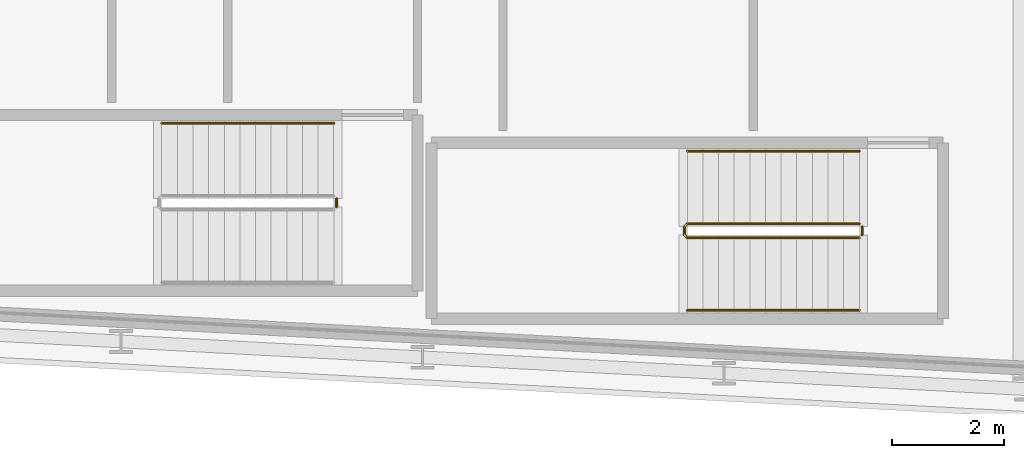
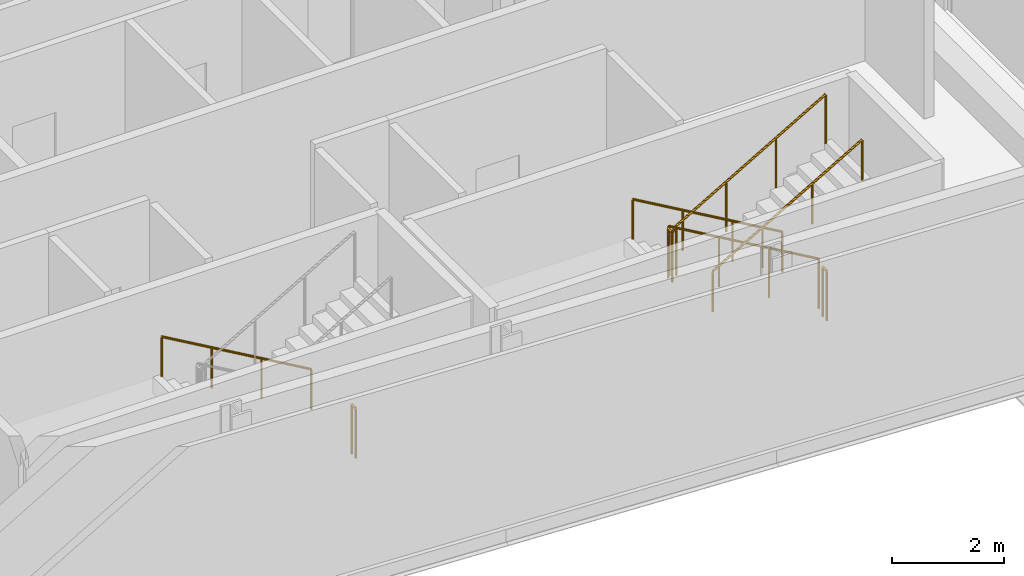
# One storey, part 26 of 29: 6 railings.
"""IFC4 building model written with IfcOpenShell, lengths in metres."""

from ifc_helpers import new_model, si_unit, direction, frame, origin, origin_2d, place, context, subcontext, project, spatial, circle, extrude, material, type_object, element, save


model = new_model("IFC4")

# Units and contexts
model_context = context("Model", 3, precision=1e-05, world=origin(), true_north=direction((0.0, 1.0)))
body_context = subcontext(model_context, "Body", "Model", "MODEL_VIEW")
ifc_project = project(units=[si_unit("LENGTHUNIT", "METRE"), si_unit("AREAUNIT", "SQUARE_METRE"), si_unit("VOLUMEUNIT", "CUBIC_METRE"), si_unit("PLANEANGLEUNIT", "RADIAN"), si_unit("MASSUNIT", "GRAM", prefix="KILO")], contexts=[model_context])

# Site, building, storey
site_placement = place(None, origin())
site = spatial("IfcSite", under=ifc_project, at=site_placement, CompositionType="ELEMENT")
building_placement = place(site_placement, origin())
building = spatial("IfcBuilding", under=site, at=building_placement, Name="Kheshtan School and Residences Tower", CompositionType="ELEMENT")
storey_placement = place(building_placement, frame((0.0, 0.0, 172.10009765625)))
storey = spatial("IfcBuildingStorey", under=building, at=storey_placement, Name="L40", CompositionType="ELEMENT", Elevation=172.10009765625)

# Railings
ifc_material_1 = material(Name="Stainless steel balustrade", Category="steel")
railing_type_1 = type_object("IfcRailingType", Name="Stair guard 1100", PredefinedType="GUARDRAIL", material=ifc_material_1)
railing_1_placement = place(storey_placement, frame((87.820068359375, 23.949951171875, 0.162353515625)))
element("IfcRailing", 1, at=railing_1_placement, inside=storey, type_object=railing_type_1, Name="L40 ST4 stair guard 1", PredefinedType="GUARDRAIL", context=body_context, shape_type="SweptSolid", body=[
    extrude(circle(Radius=0.02392578125, at=origin_2d()), frame((0.0, 0.0, 1.076171875), z_axis=(-0.864890721111, 0.0, 0.501960198159), x_axis=(0.0, -1.0, 0.0)), (0.0, 0.0, 1.0), 3.561279296875),
    extrude(circle(Radius=0.02392578125, at=origin_2d()), frame((-3.080078125, 0.0, 2.86376953125), z_axis=(-0.707106781187, -0.707106781187, 0.0), x_axis=(0.707106781187, -0.707106781187, 0.0)), (0.0, 0.0, 1.0), 0.07080078125),
    extrude(circle(Radius=0.02392578125, at=origin_2d()), frame((-3.130126953125, -0.050048828125, 2.86376953125), z_axis=(0.0, -1.0, 0.0), x_axis=(1.0, 0.0, 0.0)), (0.0, 0.0, 1.0), 0.14990234375),
    extrude(circle(Radius=0.02392578125, at=origin_2d()), frame((-3.130126953125, -0.199951171875, 2.86376953125), z_axis=(0.282583949758, -0.282583949758, 0.916674763849), x_axis=(0.707106781187, 0.707106781187, 0.0)), (0.0, 0.0, 1.0), 0.177001953125),
    extrude(circle(Radius=0.02392578125, at=origin_2d()), frame((-3.080078125, -0.25, 3.02587890625), z_axis=(0.864890721111, 0.0, 0.501960198159), x_axis=(0.0, 1.0, 0.0)), (0.0, 0.0, 1.0), 3.561279296875),
    extrude(circle(Radius=0.02099609375, at=origin_2d()), origin(), (0.0, 0.0, 1.0), 1.052001953125),
    extrude(circle(Radius=0.02099609375, at=origin_2d()), frame((-1.026611328125, 0.0, 0.595947265625)), (0.0, 0.0, 1.0), 1.052001953125),
    extrude(circle(Radius=0.02099609375, at=origin_2d()), frame((-2.053466796875, 0.0, 1.191650390625)), (0.0, 0.0, 1.0), 1.052001953125),
    extrude(circle(Radius=0.02099609375, at=origin_2d()), frame((-3.080078125, 0.0, 1.78759765625)), (0.0, 0.0, 1.0), 1.052001953125),
    extrude(circle(Radius=0.02099609375, at=origin_2d()), frame((-3.130126953125, -0.050048828125, 1.78759765625)), (0.0, 0.0, 1.0), 1.052001953125),
    extrude(circle(Radius=0.02099609375, at=origin_2d()), frame((-3.130126953125, -0.199951171875, 1.78759765625)), (0.0, 0.0, 1.0), 1.052001953125),
    extrude(circle(Radius=0.02099609375, at=origin_2d()), frame((-3.080078125, -0.25, 1.949951171875)), (0.0, 0.0, 1.0), 1.052001953125),
    extrude(circle(Radius=0.02099609375, at=origin_2d()), frame((-2.053466796875, -0.25, 2.5458984375)), (0.0, 0.0, 1.0), 1.052001953125),
    extrude(circle(Radius=0.02099609375, at=origin_2d()), frame((-1.026611328125, -0.25, 3.1416015625)), (0.0, 0.0, 1.0), 1.052001953125),
    extrude(circle(Radius=0.02099609375, at=origin_2d()), frame((0.0, -0.25, 3.737548828125)), (0.0, 0.0, 1.0), 1.052001953125),
])
for number, where, name in (
    (2, (87.8701171875, 23.89990234375, 0.0), "L40 ST4 stair guard 2"),
    (3, (78.4599609375, 24.39990234375, 0.0), "L40 ST5 stair guard 2"),
):
    element("IfcRailing", number, at=place(storey_placement, frame(where)), inside=storey, type_object=railing_type_1, Name=name, PredefinedType="GUARDRAIL", context=body_context, shape_type="SweptSolid", body=[
        extrude(circle(Radius=0.02392578125, at=origin_2d()), frame((0.0, 0.0, 1.076171875), z_axis=(0.0, -1.0, 0.0), x_axis=(1.0, 0.0, 0.0)), (0.0, 0.0, 1.0), 0.14990234375),
        extrude(circle(Radius=0.02099609375, at=origin_2d()), origin(), (0.0, 0.0, 1.0), 1.052001953125),
        extrude(circle(Radius=0.02099609375, at=origin_2d()), frame((0.0, -0.14990234375, 0.0)), (0.0, 0.0, 1.0), 1.052001953125),
    ])
ifc_material_2 = material(Name="Stainless steel handrail", Category="steel")
railing_type_2 = type_object("IfcRailingType", Name="Stair handrail 900", PredefinedType="HANDRAIL", material=ifc_material_2)
railing_2_placement = place(storey_placement, frame((87.820068359375, 25.25, 0.162353515625)))
element("IfcRailing", 4, at=railing_2_placement, inside=storey, type_object=railing_type_2, Name="L40 ST4 stair handrail 1", PredefinedType="HANDRAIL", context=body_context, shape_type="SweptSolid", body=[
    extrude(circle(Radius=0.02392578125, at=origin_2d()), frame((0.0, 0.0, 0.8759765625), z_axis=(-0.864890721111, 0.0, 0.501960198159), x_axis=(0.0, -1.0, 0.0)), (0.0, 0.0, 1.0), 3.561279296875),
    extrude(circle(Radius=0.02099609375, at=origin_2d()), origin(), (0.0, 0.0, 1.0), 0.851806640625),
    extrude(circle(Radius=0.02099609375, at=origin_2d()), frame((-1.026611328125, 0.0, 0.595947265625)), (0.0, 0.0, 1.0), 0.851806640625),
    extrude(circle(Radius=0.02099609375, at=origin_2d()), frame((-2.053466796875, 0.0, 1.191650390625)), (0.0, 0.0, 1.0), 0.851806640625),
    extrude(circle(Radius=0.02099609375, at=origin_2d()), frame((-3.080078125, 0.0, 1.78759765625)), (0.0, 0.0, 1.0), 0.851806640625),
])
railing_3_placement = place(storey_placement, frame((84.739990234375, 22.39990234375, 2.1123046875)))
element("IfcRailing", 5, at=railing_3_placement, inside=storey, type_object=railing_type_2, Name="L40 ST4 stair handrail 2", PredefinedType="HANDRAIL", context=body_context, shape_type="SweptSolid", body=[
    extrude(circle(Radius=0.02392578125, at=origin_2d()), frame((0.0, 0.0, 0.8759765625), z_axis=(0.864890721111, 0.0, 0.501960198159), x_axis=(0.0, 1.0, 0.0)), (0.0, 0.0, 1.0), 3.561279296875),
    extrude(circle(Radius=0.02099609375, at=origin_2d()), origin(), (0.0, 0.0, 1.0), 0.851806640625),
    extrude(circle(Radius=0.02099609375, at=origin_2d()), frame((1.026611328125, 0.0, 0.595947265625)), (0.0, 0.0, 1.0), 0.851806640625),
    extrude(circle(Radius=0.02099609375, at=origin_2d()), frame((2.053466796875, 0.0, 1.191650390625)), (0.0, 0.0, 1.0), 0.851806640625),
    extrude(circle(Radius=0.02099609375, at=origin_2d()), frame((3.080078125, 0.0, 1.78759765625)), (0.0, 0.0, 1.0), 0.851806640625),
])
railing_4_placement = place(storey_placement, frame((78.409912109375, 25.75, 0.162353515625)))
element("IfcRailing", 6, at=railing_4_placement, inside=storey, type_object=railing_type_2, Name="L40 ST5 stair handrail 1", PredefinedType="HANDRAIL", context=body_context, shape_type="SweptSolid", body=[
    extrude(circle(Radius=0.02392578125, at=origin_2d()), frame((0.0, 0.0, 0.8759765625), z_axis=(-0.864873446163, 0.0, 0.501989962173), x_axis=(0.0, -1.0, 0.0)), (0.0, 0.0, 1.0), 3.56103515625),
    extrude(circle(Radius=0.02099609375, at=origin_2d()), origin(), (0.0, 0.0, 1.0), 0.851806640625),
    extrude(circle(Radius=0.02099609375, at=origin_2d()), frame((-1.026611328125, 0.0, 0.595947265625)), (0.0, 0.0, 1.0), 0.851806640625),
    extrude(circle(Radius=0.02099609375, at=origin_2d()), frame((-2.05322265625, 0.0, 1.191650390625)), (0.0, 0.0, 1.0), 0.851806640625),
    extrude(circle(Radius=0.02099609375, at=origin_2d()), frame((-3.079833984375, 0.0, 1.78759765625)), (0.0, 0.0, 1.0), 0.851806640625),
])

save(model, "model.ifc")
